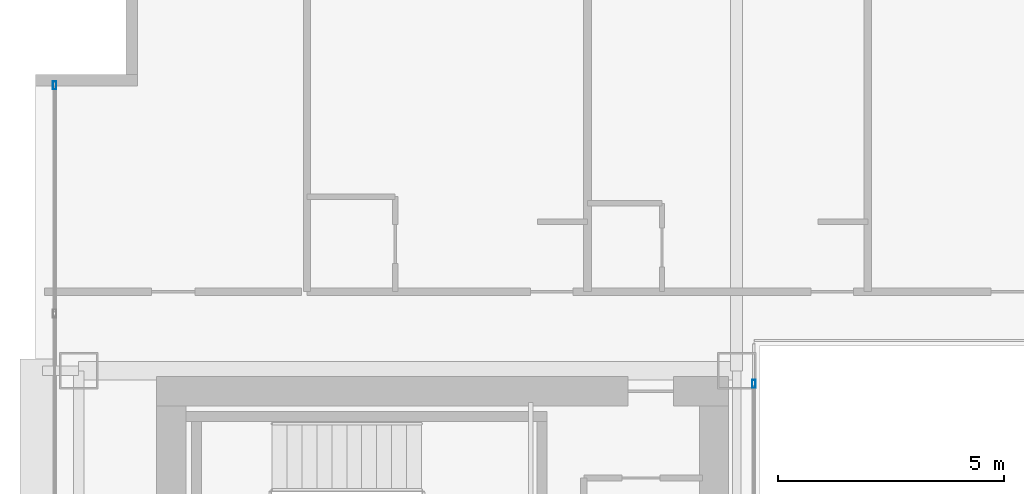
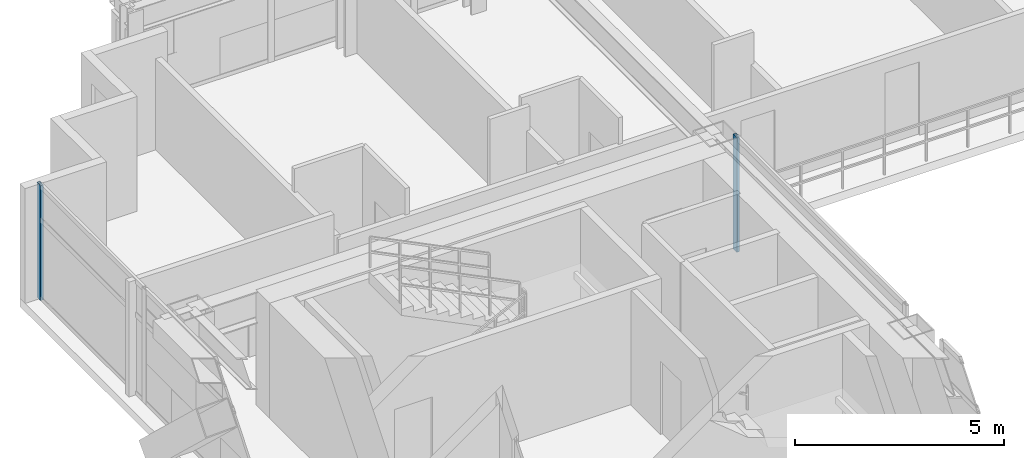
# One storey, part 20 of 39: 2 members, 2 elements without a shape of their own.
"""IFC4 building model written with IfcOpenShell, lengths in metres."""

from ifc_helpers import new_model, si_unit, direction, frame, origin, origin_2d, place, context, subcontext, project, spatial, hollow_rectangle, extrude, source, transform, mapped, material, layer, layer_set, material_profile, profile_set, type_object, element, aggregate, save


model = new_model("IFC4")

# Units and contexts
model_context = context("Model", 3, precision=1e-05, world=origin(), true_north=direction((0.0, 1.0)))
body_context = subcontext(model_context, "Body", "Model", "MODEL_VIEW")
ifc_project = project(units=[si_unit("LENGTHUNIT", "METRE"), si_unit("AREAUNIT", "SQUARE_METRE"), si_unit("VOLUMEUNIT", "CUBIC_METRE"), si_unit("PLANEANGLEUNIT", "RADIAN"), si_unit("MASSUNIT", "GRAM", prefix="KILO")], contexts=[model_context])

# Site, building, storey
site_placement = place(None, origin())
site = spatial("IfcSite", under=ifc_project, at=site_placement, CompositionType="ELEMENT")
building_placement = place(site_placement, origin())
building = spatial("IfcBuilding", under=site, at=building_placement, Name="Ocotamira Hotel", CompositionType="ELEMENT")
storey_placement = place(building_placement, frame((0.0, 0.0, 126.0)))
storey = spatial("IfcBuildingStorey", under=building, at=storey_placement, Name="L31", CompositionType="ELEMENT", Elevation=126.0)

# Curtain wall, member
ifc_material_1 = material(Name="Anodised pale-metal aluminium and solar glass", Category="aluminium")
ifc_layer_1 = layer(ifc_material_1, 0.179931640625)
ifc_layer_set_1 = layer_set([ifc_layer_1], Name="Anodised pale-metal aluminium and solar glass")
curtain_wall_type_1 = type_object("IfcCurtainWallType", Name="CW-SYS3-Z2", PredefinedType="NOTDEFINED", material=ifc_layer_set_1)
curtain_wall_1_placement = place(storey_placement, origin())
curtain_wall_1 = element("IfcCurtainWall", 1, at=curtain_wall_1_placement, inside=storey, type_object=curtain_wall_type_1, Name="L31 Curtain Wall CW-3 CW-L31-W", PredefinedType="NOTDEFINED")
ifc_material_2 = material(Name="Anodised pale-metal aluminium 6063-T6", Category="aluminium")
ifc_material_profile = material_profile(ifc_material_2, hollow_rectangle(XDim=0.080078125, YDim=0.179931640625, WallThickness=0.006103515625, at=origin_2d()), Name="HSS180X80X6")
ifc_profile_set = profile_set([ifc_material_profile], Name="Anodised pale-metal aluminium 6063-T6")
member_type = type_object("IfcMemberType", Name="CWM-180X75", PredefinedType="MULLION", material=ifc_profile_set)
shared_shape = source(origin(), body_context, "Body", "SweptSolid", [
    extrude(hollow_rectangle(XDim=0.080078125, YDim=0.179931640625, WallThickness=0.006103515625, at=origin_2d()), origin(), (0.0, 0.0, 1.0), 3.360107421875),
])
member_1_placement = place(storey_placement, frame((8.419921875, 43.760009765625, 0.0), z_axis=(0.0, 0.0, 1.0), x_axis=(-1.0, 0.0, 0.0)))
member_1 = element("IfcMember", 2, at=member_1_placement, type_object=member_type, Name="CW-3 mullion 8", PredefinedType="MULLION", context=body_context, shape_type="MappedRepresentation", body=[
    mapped(shared_shape, transform((0.0, 0.0, 0.0), scale=1.0)),
])
aggregate(curtain_wall_1, [member_1])

ifc_layer_2 = layer(ifc_material_1, 0.159912109375)
ifc_layer_set_2 = layer_set([ifc_layer_2], Name="Anodised pale-metal aluminium and solar glass")
curtain_wall_type_2 = type_object("IfcCurtainWallType", Name="CW-SYS6-ATR", PredefinedType="NOTDEFINED", material=ifc_layer_set_2)
curtain_wall_2_placement = place(storey_placement, origin())
curtain_wall_2 = element("IfcCurtainWall", 3, at=curtain_wall_2_placement, inside=storey, type_object=curtain_wall_type_2, Name="L31 Curtain Wall CW-6 CW-L31-ATRW2", PredefinedType="NOTDEFINED")
member_2_placement = place(storey_placement, frame((23.8798828125, 37.159912109375, 0.0), z_axis=(0.0, 0.0, 1.0), x_axis=(-1.0, 0.0, 0.0)))
member_2 = element("IfcMember", 4, at=member_2_placement, type_object=member_type, Name="CW-6 mullion 2", PredefinedType="MULLION", context=body_context, shape_type="MappedRepresentation", body=[
    mapped(shared_shape, transform((0.0, 0.0, 0.0), scale=1.0)),
])
aggregate(curtain_wall_2, [member_2])

save(model, "model.ifc")
